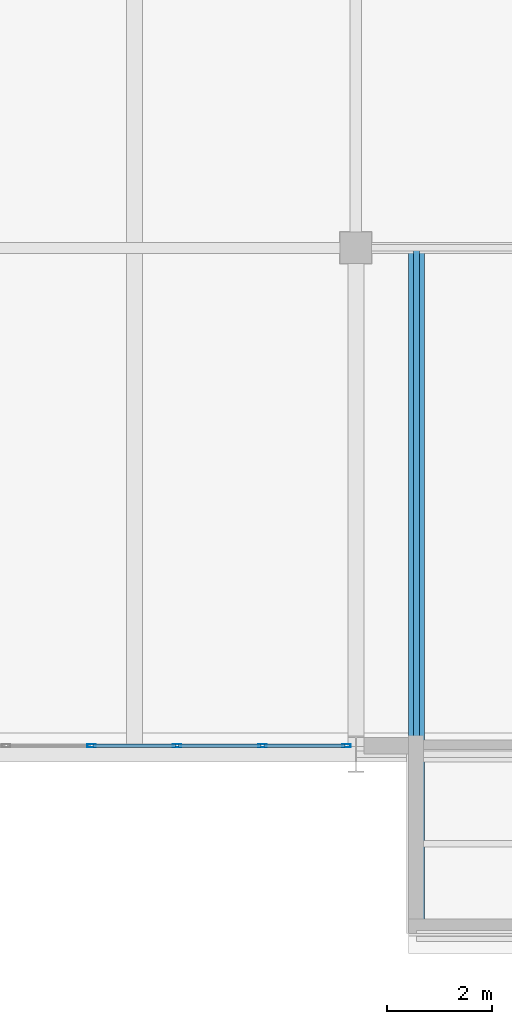
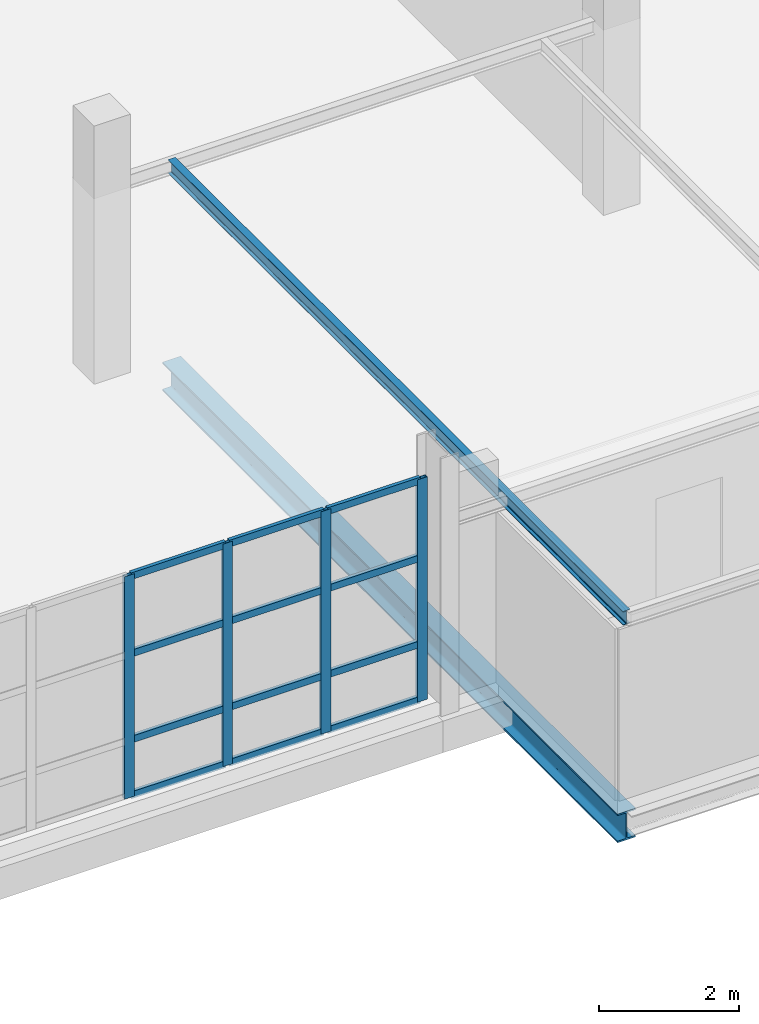
# One storey, part 34 of 113: 16 members, 2 beams, 1 element without a shape of its own.
"""IFC4 building model written with IfcOpenShell, lengths in metres."""

from ifc_helpers import new_model, si_unit, direction, frame, origin, origin_2d, place, context, subcontext, project, spatial, hollow_rectangle, i_section, extrude, material, material_profile, profile_set, type_object, element, aggregate, save


model = new_model("IFC4")

# Units and contexts
model_context = context("Model", 3, precision=1e-05, world=origin(), true_north=direction((0.0, 1.0)))
body_context = subcontext(model_context, "Body", "Model", "MODEL_VIEW")
ifc_project = project(units=[si_unit("LENGTHUNIT", "METRE"), si_unit("AREAUNIT", "SQUARE_METRE"), si_unit("VOLUMEUNIT", "CUBIC_METRE"), si_unit("PLANEANGLEUNIT", "RADIAN"), si_unit("MASSUNIT", "GRAM", prefix="KILO")], contexts=[model_context])

# Site, building, storey
site_placement = place(None, origin())
site = spatial("IfcSite", under=ifc_project, at=site_placement, CompositionType="ELEMENT")
building_placement = place(site_placement, origin())
building = spatial("IfcBuilding", under=site, at=building_placement, Name="Veltarok Museum of Natural Sciences", CompositionType="ELEMENT")
storey_placement = place(building_placement, frame((0.0, 0.0, 8.39990234375)))
storey = spatial("IfcBuildingStorey", under=building, at=storey_placement, Name="L01", CompositionType="ELEMENT", Elevation=8.39990234375)

# Beams
ifc_material_1 = material(Name="Steel S355J2", Category="steel")
ifc_material_profile_1 = material_profile(ifc_material_1, i_section(OverallWidth=0.300048828125, OverallDepth=0.5, WebThickness=0.014404296875, FlangeThickness=0.028076171875, FilletRadius=0.027099609375, at=origin_2d()), Name="HEB 500")
ifc_profile_set_1 = profile_set([ifc_material_profile_1], Name="Steel S355J2")
beam_type_1 = type_object("IfcBeamType", Name="Cabinet Box Cantilever Girder HEB 500", PredefinedType="BEAM", material=ifc_profile_set_1)
beam_1_placement = place(storey_placement, frame((125.14990234375, -3.39990234375, -0.5), z_axis=(0.0, 1.0, 0.0), x_axis=(-1.0, 0.0, 0.0)))
element("IfcBeam", 1, at=beam_1_placement, inside=storey, type_object=beam_type_1, Name="Cabinet Cantilever Girder DB-06-1", PredefinedType="BEAM", context=body_context, shape_type="SweptSolid", body=[
    extrude(i_section(OverallWidth=0.300048828125, OverallDepth=0.5, WebThickness=0.014404296875, FlangeThickness=0.028076171875, FilletRadius=0.027099609375, at=origin_2d()), origin(), (0.0, 0.0, 1.0), 13.0),
])
ifc_material_profile_2 = material_profile(ifc_material_1, i_section(OverallWidth=0.1201171875, OverallDepth=0.239990234375, WebThickness=0.006103515625, FlangeThickness=0.009765625, FilletRadius=0.014892578125, at=origin_2d()), Name="IPE 240")
ifc_profile_set_2 = profile_set([ifc_material_profile_2], Name="Steel S355J2")
beam_type_2 = type_object("IfcBeamType", Name="Cabinet Box Secondary Joist IPE 240", PredefinedType="JOIST", material=ifc_profile_set_2)
beam_2_placement = place(storey_placement, frame((125.14990234375, -3.39990234375, 3.130126953125), z_axis=(0.0, 1.0, 0.0), x_axis=(-1.0, 0.0, 0.0)))
element("IfcBeam", 2, at=beam_2_placement, inside=storey, type_object=beam_type_2, Name="Cabinet Roof Rafter DB-06-1", PredefinedType="JOIST", context=body_context, shape_type="SweptSolid", body=[
    extrude(i_section(OverallWidth=0.1201171875, OverallDepth=0.239990234375, WebThickness=0.006103515625, FlangeThickness=0.009765625, FilletRadius=0.014892578125, at=origin_2d()), origin(), (0.0, 0.0, 1.0), 13.0),
])

# Curtain wall, members
ifc_material_2 = material(Name="Low-iron triple insulated glass", Category="glass")
curtain_wall_type = type_object("IfcCurtainWallType", Name="Curtain Wall System CW-V5S-L01-14-810x388 (V5 South Lab Curtain Wall L01 14-15 810x388cm)", PredefinedType="NOTDEFINED", material=ifc_material_2)
curtain_wall_placement = place(storey_placement, origin())
curtain_wall = element("IfcCurtainWall", 3, at=curtain_wall_placement, inside=storey, type_object=curtain_wall_type, Name="Curtain Wall CW-V5S-L01-14-810x388 CW-0089", PredefinedType="NOTDEFINED")
ifc_material_3 = material(Name="Thermally broken anodised aluminium", Category="aluminium")
ifc_material_profile_3 = material_profile(ifc_material_3, hollow_rectangle(XDim=0.06005859375, YDim=0.1201171875, WallThickness=0.0048828125, at=origin_2d()), Name="CW TRANSOM 60x120x5")
ifc_profile_set_3 = profile_set([ifc_material_profile_3], Name="Thermally broken anodised aluminium")
member_type_1 = type_object("IfcMemberType", Name="Curtain Wall Horizontal Transom 60x120x5", PredefinedType="USERDEFINED", material=ifc_profile_set_3)
member_1_placement = place(storey_placement, frame((119.02001953125, 0.159912109375, 0.030029296875), z_axis=(1.0, 0.0, 0.0), x_axis=(0.0, 1.0, 0.0)))
member_1 = element("IfcMember", 4, at=member_1_placement, type_object=member_type_1, Name="CW-V5S-L01-14-810x388 transom 3.1", ObjectType="TRANSOM", PredefinedType="USERDEFINED", context=body_context, shape_type="SweptSolid", body=[
    extrude(hollow_rectangle(XDim=0.06005859375, YDim=0.1201171875, WallThickness=0.0048828125, at=origin_2d()), origin(), (0.0, 0.0, 1.0), 1.56005859375),
])
member_2_placement = place(storey_placement, frame((119.02001953125, 0.159912109375, 1.0), z_axis=(1.0, 0.0, 0.0), x_axis=(0.0, 1.0, 0.0)))
member_2 = element("IfcMember", 5, at=member_2_placement, type_object=member_type_1, Name="CW-V5S-L01-14-810x388 transom 3.2", ObjectType="TRANSOM", PredefinedType="USERDEFINED", context=body_context, shape_type="SweptSolid", body=[
    extrude(hollow_rectangle(XDim=0.06005859375, YDim=0.1201171875, WallThickness=0.0048828125, at=origin_2d()), origin(), (0.0, 0.0, 1.0), 1.56005859375),
])
member_3_placement = place(storey_placement, frame((119.02001953125, 0.159912109375, 2.5), z_axis=(1.0, 0.0, 0.0), x_axis=(0.0, 1.0, 0.0)))
member_3 = element("IfcMember", 6, at=member_3_placement, type_object=member_type_1, Name="CW-V5S-L01-14-810x388 transom 3.3", ObjectType="TRANSOM", PredefinedType="USERDEFINED", context=body_context, shape_type="SweptSolid", body=[
    extrude(hollow_rectangle(XDim=0.06005859375, YDim=0.1201171875, WallThickness=0.0048828125, at=origin_2d()), origin(), (0.0, 0.0, 1.0), 1.56005859375),
])
member_4_placement = place(storey_placement, frame((119.02001953125, 0.159912109375, 3.85009765625), z_axis=(1.0, 0.0, 0.0), x_axis=(0.0, 1.0, 0.0)))
member_4 = element("IfcMember", 7, at=member_4_placement, type_object=member_type_1, Name="CW-V5S-L01-14-810x388 transom 3.4", ObjectType="TRANSOM", PredefinedType="USERDEFINED", context=body_context, shape_type="SweptSolid", body=[
    extrude(hollow_rectangle(XDim=0.06005859375, YDim=0.1201171875, WallThickness=0.0048828125, at=origin_2d()), origin(), (0.0, 0.0, 1.0), 1.56005859375),
])
member_5_placement = place(storey_placement, frame((120.639892578125, 0.159912109375, 0.030029296875), z_axis=(1.0, 0.0, 0.0), x_axis=(0.0, 1.0, 0.0)))
member_5 = element("IfcMember", 8, at=member_5_placement, type_object=member_type_1, Name="CW-V5S-L01-14-810x388 transom 4.1", ObjectType="TRANSOM", PredefinedType="USERDEFINED", context=body_context, shape_type="SweptSolid", body=[
    extrude(hollow_rectangle(XDim=0.06005859375, YDim=0.1201171875, WallThickness=0.0048828125, at=origin_2d()), origin(), (0.0, 0.0, 1.0), 1.56005859375),
])
member_6_placement = place(storey_placement, frame((120.639892578125, 0.159912109375, 1.0), z_axis=(1.0, 0.0, 0.0), x_axis=(0.0, 1.0, 0.0)))
member_6 = element("IfcMember", 9, at=member_6_placement, type_object=member_type_1, Name="CW-V5S-L01-14-810x388 transom 4.2", ObjectType="TRANSOM", PredefinedType="USERDEFINED", context=body_context, shape_type="SweptSolid", body=[
    extrude(hollow_rectangle(XDim=0.06005859375, YDim=0.1201171875, WallThickness=0.0048828125, at=origin_2d()), origin(), (0.0, 0.0, 1.0), 1.56005859375),
])
member_7_placement = place(storey_placement, frame((120.639892578125, 0.159912109375, 2.5), z_axis=(1.0, 0.0, 0.0), x_axis=(0.0, 1.0, 0.0)))
member_7 = element("IfcMember", 10, at=member_7_placement, type_object=member_type_1, Name="CW-V5S-L01-14-810x388 transom 4.3", ObjectType="TRANSOM", PredefinedType="USERDEFINED", context=body_context, shape_type="SweptSolid", body=[
    extrude(hollow_rectangle(XDim=0.06005859375, YDim=0.1201171875, WallThickness=0.0048828125, at=origin_2d()), origin(), (0.0, 0.0, 1.0), 1.56005859375),
])
member_8_placement = place(storey_placement, frame((120.639892578125, 0.159912109375, 3.85009765625), z_axis=(1.0, 0.0, 0.0), x_axis=(0.0, 1.0, 0.0)))
member_8 = element("IfcMember", 11, at=member_8_placement, type_object=member_type_1, Name="CW-V5S-L01-14-810x388 transom 4.4", ObjectType="TRANSOM", PredefinedType="USERDEFINED", context=body_context, shape_type="SweptSolid", body=[
    extrude(hollow_rectangle(XDim=0.06005859375, YDim=0.1201171875, WallThickness=0.0048828125, at=origin_2d()), origin(), (0.0, 0.0, 1.0), 1.56005859375),
])
member_9_placement = place(storey_placement, frame((122.260009765625, 0.159912109375, 0.030029296875), z_axis=(1.0, 0.0, 0.0), x_axis=(0.0, 1.0, 0.0)))
member_9 = element("IfcMember", 12, at=member_9_placement, type_object=member_type_1, Name="CW-V5S-L01-14-810x388 transom 5.1", ObjectType="TRANSOM", PredefinedType="USERDEFINED", context=body_context, shape_type="SweptSolid", body=[
    extrude(hollow_rectangle(XDim=0.06005859375, YDim=0.1201171875, WallThickness=0.0048828125, at=origin_2d()), origin(), (0.0, 0.0, 1.0), 1.530029296875),
])
member_10_placement = place(storey_placement, frame((122.260009765625, 0.159912109375, 1.0), z_axis=(1.0, 0.0, 0.0), x_axis=(0.0, 1.0, 0.0)))
member_10 = element("IfcMember", 13, at=member_10_placement, type_object=member_type_1, Name="CW-V5S-L01-14-810x388 transom 5.2", ObjectType="TRANSOM", PredefinedType="USERDEFINED", context=body_context, shape_type="SweptSolid", body=[
    extrude(hollow_rectangle(XDim=0.06005859375, YDim=0.1201171875, WallThickness=0.0048828125, at=origin_2d()), origin(), (0.0, 0.0, 1.0), 1.530029296875),
])
member_11_placement = place(storey_placement, frame((122.260009765625, 0.159912109375, 2.5), z_axis=(1.0, 0.0, 0.0), x_axis=(0.0, 1.0, 0.0)))
member_11 = element("IfcMember", 14, at=member_11_placement, type_object=member_type_1, Name="CW-V5S-L01-14-810x388 transom 5.3", ObjectType="TRANSOM", PredefinedType="USERDEFINED", context=body_context, shape_type="SweptSolid", body=[
    extrude(hollow_rectangle(XDim=0.06005859375, YDim=0.1201171875, WallThickness=0.0048828125, at=origin_2d()), origin(), (0.0, 0.0, 1.0), 1.530029296875),
])
member_12_placement = place(storey_placement, frame((122.260009765625, 0.159912109375, 3.85009765625), z_axis=(1.0, 0.0, 0.0), x_axis=(0.0, 1.0, 0.0)))
member_12 = element("IfcMember", 15, at=member_12_placement, type_object=member_type_1, Name="CW-V5S-L01-14-810x388 transom 5.4", ObjectType="TRANSOM", PredefinedType="USERDEFINED", context=body_context, shape_type="SweptSolid", body=[
    extrude(hollow_rectangle(XDim=0.06005859375, YDim=0.1201171875, WallThickness=0.0048828125, at=origin_2d()), origin(), (0.0, 0.0, 1.0), 1.530029296875),
])
ifc_material_profile_4 = material_profile(ifc_material_3, hollow_rectangle(XDim=0.06005859375, YDim=0.159912109375, WallThickness=0.0048828125, at=origin_2d()), Name="CW MULLION 60x160x5")
ifc_profile_set_4 = profile_set([ifc_material_profile_4], Name="Thermally broken anodised aluminium")
member_type_2 = type_object("IfcMemberType", Name="Curtain Wall Vertical Mullion 60x160x5", PredefinedType="MULLION", material=ifc_profile_set_4)
member_13_placement = place(storey_placement, frame((118.989990234375, 0.159912109375, 0.0), z_axis=(0.0, 0.0, 1.0), x_axis=(0.0, 1.0, 0.0)))
member_13 = element("IfcMember", 16, at=member_13_placement, type_object=member_type_2, Name="CW-V5S-L01-14-810x388 mullion 3", PredefinedType="MULLION", context=body_context, shape_type="SweptSolid", body=[
    extrude(hollow_rectangle(XDim=0.06005859375, YDim=0.159912109375, WallThickness=0.0048828125, at=origin_2d()), origin(), (0.0, 0.0, 1.0), 3.880126953125),
])
member_14_placement = place(storey_placement, frame((120.610107421875, 0.159912109375, 0.0), z_axis=(0.0, 0.0, 1.0), x_axis=(0.0, 1.0, 0.0)))
member_14 = element("IfcMember", 17, at=member_14_placement, type_object=member_type_2, Name="CW-V5S-L01-14-810x388 mullion 4", PredefinedType="MULLION", context=body_context, shape_type="SweptSolid", body=[
    extrude(hollow_rectangle(XDim=0.06005859375, YDim=0.159912109375, WallThickness=0.0048828125, at=origin_2d()), origin(), (0.0, 0.0, 1.0), 3.880126953125),
])
member_15_placement = place(storey_placement, frame((122.22998046875, 0.159912109375, 0.0), z_axis=(0.0, 0.0, 1.0), x_axis=(0.0, 1.0, 0.0)))
member_15 = element("IfcMember", 18, at=member_15_placement, type_object=member_type_2, Name="CW-V5S-L01-14-810x388 mullion 5", PredefinedType="MULLION", context=body_context, shape_type="SweptSolid", body=[
    extrude(hollow_rectangle(XDim=0.06005859375, YDim=0.159912109375, WallThickness=0.0048828125, at=origin_2d()), origin(), (0.0, 0.0, 1.0), 3.880126953125),
])
member_16_placement = place(storey_placement, frame((123.820068359375, 0.159912109375, 0.0), z_axis=(0.0, 0.0, 1.0), x_axis=(0.0, 1.0, 0.0)))
member_16 = element("IfcMember", 19, at=member_16_placement, type_object=member_type_2, Name="CW-V5S-L01-14-810x388 mullion 6", PredefinedType="MULLION", context=body_context, shape_type="SweptSolid", body=[
    extrude(hollow_rectangle(XDim=0.06005859375, YDim=0.159912109375, WallThickness=0.0048828125, at=origin_2d()), origin(), (0.0, 0.0, 1.0), 3.880126953125),
])
aggregate(curtain_wall, [member_13, member_14, member_15, member_16, member_1, member_2, member_3, member_4, member_5, member_6, member_7, member_8, member_9, member_10, member_11, member_12])

save(model, "model.ifc")
